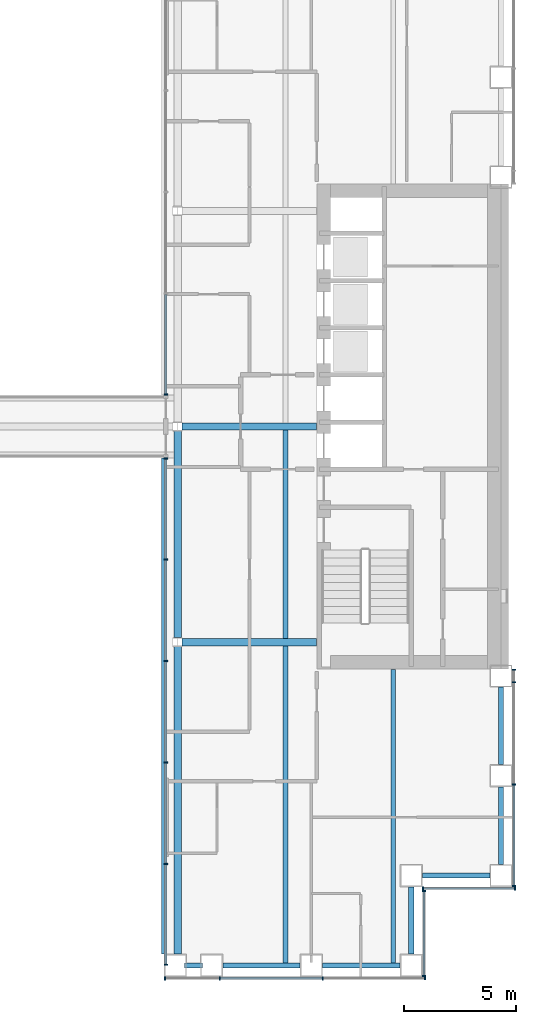
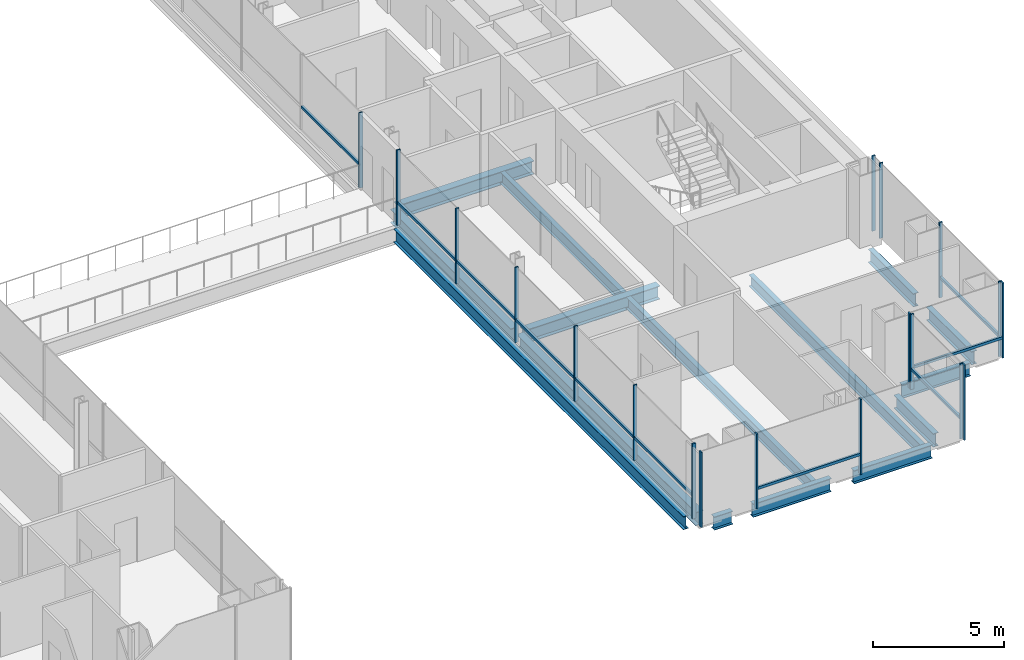
# One storey, part 4 of 18: 29 members, 15 beams, 6 elements without a shape of their own.
"""IFC4 building model written with IfcOpenShell, lengths in metres."""

from ifc_helpers import new_model, si_unit, direction, frame, origin, origin_2d, place, context, subcontext, project, spatial, rectangle, i_section, extrude, material, material_profile, profile_set, type_object, element, aggregate, save


model = new_model("IFC4")

# Units and contexts
model_context = context("Model", 3, precision=1e-05, world=origin(), true_north=direction((0.0, 1.0)))
body_context = subcontext(model_context, "Body", "Model", "MODEL_VIEW")
ifc_project = project(units=[si_unit("LENGTHUNIT", "METRE"), si_unit("AREAUNIT", "SQUARE_METRE"), si_unit("VOLUMEUNIT", "CUBIC_METRE"), si_unit("PLANEANGLEUNIT", "RADIAN"), si_unit("MASSUNIT", "GRAM", prefix="KILO")], contexts=[model_context])

# Site, building, storey
site_placement = place(None, origin())
site = spatial("IfcSite", under=ifc_project, at=site_placement, CompositionType="ELEMENT")
building_placement = place(site_placement, origin())
building = spatial("IfcBuilding", under=site, at=building_placement, Name="Cobrizo Arcos Hotel Tower", CompositionType="ELEMENT")
storey_placement = place(building_placement, frame((0.0, 0.0, 77.5)))
storey = spatial("IfcBuildingStorey", under=building, at=storey_placement, Name="L18", CompositionType="ELEMENT", Elevation=77.5)

# Curtain wall, members
ifc_material_1 = material(Name="Aluminium 6063-T6 anodised bronze", Category="aluminium")
curtain_wall_type_1 = type_object("IfcCurtainWallType", Name="CW-A guest facade", PredefinedType="NOTDEFINED", material=ifc_material_1)
curtain_wall_1_placement = place(storey_placement, origin())
curtain_wall_1 = element("IfcCurtainWall", 1, at=curtain_wall_1_placement, inside=storey, type_object=curtain_wall_type_1, Name="CW-A L18 S face", PredefinedType="NOTDEFINED")
ifc_material_profile_1 = material_profile(ifc_material_1, rectangle(XDim=0.14990234375, YDim=0.06005859375, at=origin_2d()), Name="CW-A mullion 150x60")
ifc_profile_set_1 = profile_set([ifc_material_profile_1], Name="Aluminium 6063-T6 anodised bronze")
member_type_1 = type_object("IfcMemberType", Name="CW-A mullion 150x60", PredefinedType="MULLION", material=ifc_profile_set_1)
member_1_placement = place(storey_placement, frame((9.030029296875, -24.574951171875, 0.0), z_axis=(0.0, 0.0, 1.0), x_axis=(0.0, -1.0, 0.0)))
member_1 = element("IfcMember", 2, at=member_1_placement, type_object=member_type_1, Name="CW-A mullion 1", PredefinedType="MULLION", context=body_context, shape_type="SweptSolid", body=[
    extrude(rectangle(XDim=0.14990234375, YDim=0.06005859375, at=origin_2d()), origin(), (0.0, 0.0, 1.0), 3.5),
])
member_2_placement = place(storey_placement, frame((11.47216796875, -24.574951171875, 0.0), z_axis=(0.0, 0.0, 1.0), x_axis=(0.0, -1.0, 0.0)))
member_2 = element("IfcMember", 3, at=member_2_placement, type_object=member_type_1, Name="CW-A mullion 2", PredefinedType="MULLION", context=body_context, shape_type="SweptSolid", body=[
    extrude(rectangle(XDim=0.14990234375, YDim=0.06005859375, at=origin_2d()), origin(), (0.0, 0.0, 1.0), 3.5),
])
member_3_placement = place(storey_placement, frame((16.06103515625, -24.574951171875, 0.0), z_axis=(0.0, 0.0, 1.0), x_axis=(0.0, -1.0, 0.0)))
member_3 = element("IfcMember", 4, at=member_3_placement, type_object=member_type_1, Name="CW-A mullion 3", PredefinedType="MULLION", context=body_context, shape_type="SweptSolid", body=[
    extrude(rectangle(XDim=0.14990234375, YDim=0.06005859375, at=origin_2d()), origin(), (0.0, 0.0, 1.0), 3.5),
])
member_4_placement = place(storey_placement, frame((20.6201171875, -24.574951171875, 0.0), z_axis=(0.0, 0.0, 1.0), x_axis=(0.0, -1.0, 0.0)))
member_4 = element("IfcMember", 5, at=member_4_placement, type_object=member_type_1, Name="CW-A mullion 4", PredefinedType="MULLION", context=body_context, shape_type="SweptSolid", body=[
    extrude(rectangle(XDim=0.14990234375, YDim=0.06005859375, at=origin_2d()), origin(), (0.0, 0.0, 1.0), 3.5),
])

curtain_wall_2_placement = place(storey_placement, origin())
curtain_wall_2 = element("IfcCurtainWall", 6, at=curtain_wall_2_placement, inside=storey, type_object=curtain_wall_type_1, Name="CW-A L18 E face", PredefinedType="NOTDEFINED")
member_5_placement = place(storey_placement, frame((20.574951171875, -24.469970703125, 0.0), z_axis=(0.0, 0.0, 1.0), x_axis=(1.0, 0.0, 0.0)))
member_5 = element("IfcMember", 7, at=member_5_placement, type_object=member_type_1, Name="CW-A mullion 1", PredefinedType="MULLION", context=body_context, shape_type="SweptSolid", body=[
    extrude(rectangle(XDim=0.14990234375, YDim=0.06005859375, at=origin_2d()), origin(), (0.0, 0.0, 1.0), 3.5),
])
member_6_placement = place(storey_placement, frame((20.574951171875, -20.679931640625, 0.0), z_axis=(0.0, 0.0, 1.0), x_axis=(1.0, 0.0, 0.0)))
member_6 = element("IfcMember", 8, at=member_6_placement, type_object=member_type_1, Name="CW-A mullion 2", PredefinedType="MULLION", context=body_context, shape_type="SweptSolid", body=[
    extrude(rectangle(XDim=0.14990234375, YDim=0.06005859375, at=origin_2d()), origin(), (0.0, 0.0, 1.0), 3.5),
])

curtain_wall_3_placement = place(storey_placement, origin())
curtain_wall_3 = element("IfcCurtainWall", 9, at=curtain_wall_3_placement, inside=storey, type_object=curtain_wall_type_1, Name="CW-A L18 S face", PredefinedType="NOTDEFINED")
member_7_placement = place(storey_placement, frame((20.530029296875, -20.574951171875, 0.0), z_axis=(0.0, 0.0, 1.0), x_axis=(0.0, -1.0, 0.0)))
member_7 = element("IfcMember", 10, at=member_7_placement, type_object=member_type_1, Name="CW-A mullion 1", PredefinedType="MULLION", context=body_context, shape_type="SweptSolid", body=[
    extrude(rectangle(XDim=0.14990234375, YDim=0.06005859375, at=origin_2d()), origin(), (0.0, 0.0, 1.0), 3.5),
])
member_8_placement = place(storey_placement, frame((24.6201171875, -20.574951171875, 0.0), z_axis=(0.0, 0.0, 1.0), x_axis=(0.0, -1.0, 0.0)))
member_8 = element("IfcMember", 11, at=member_8_placement, type_object=member_type_1, Name="CW-A mullion 2", PredefinedType="MULLION", context=body_context, shape_type="SweptSolid", body=[
    extrude(rectangle(XDim=0.14990234375, YDim=0.06005859375, at=origin_2d()), origin(), (0.0, 0.0, 1.0), 3.5),
])

curtain_wall_4_placement = place(storey_placement, origin())
curtain_wall_4 = element("IfcCurtainWall", 12, at=curtain_wall_4_placement, inside=storey, type_object=curtain_wall_type_1, Name="CW-A L18 E face", PredefinedType="NOTDEFINED")
member_9_placement = place(storey_placement, frame((24.574951171875, -20.469970703125, 0.0), z_axis=(0.0, 0.0, 1.0), x_axis=(1.0, 0.0, 0.0)))
member_9 = element("IfcMember", 13, at=member_9_placement, type_object=member_type_1, Name="CW-A mullion 1", PredefinedType="MULLION", context=body_context, shape_type="SweptSolid", body=[
    extrude(rectangle(XDim=0.14990234375, YDim=0.06005859375, at=origin_2d()), origin(), (0.0, 0.0, 1.0), 3.5),
])
member_10_placement = place(storey_placement, frame((24.574951171875, -15.9443359375, 0.0), z_axis=(0.0, 0.0, 1.0), x_axis=(1.0, 0.0, 0.0)))
member_10 = element("IfcMember", 14, at=member_10_placement, type_object=member_type_1, Name="CW-A mullion 2", PredefinedType="MULLION", context=body_context, shape_type="SweptSolid", body=[
    extrude(rectangle(XDim=0.14990234375, YDim=0.06005859375, at=origin_2d()), origin(), (0.0, 0.0, 1.0), 3.5),
])
member_11_placement = place(storey_placement, frame((24.574951171875, -11.388916015625, 0.0), z_axis=(0.0, 0.0, 1.0), x_axis=(1.0, 0.0, 0.0)))
member_11 = element("IfcMember", 15, at=member_11_placement, type_object=member_type_1, Name="CW-A mullion 3", PredefinedType="MULLION", context=body_context, shape_type="SweptSolid", body=[
    extrude(rectangle(XDim=0.14990234375, YDim=0.06005859375, at=origin_2d()), origin(), (0.0, 0.0, 1.0), 3.5),
])
member_12_placement = place(storey_placement, frame((24.574951171875, -10.830078125, 0.0), z_axis=(0.0, 0.0, 1.0), x_axis=(1.0, 0.0, 0.0)))
member_12 = element("IfcMember", 16, at=member_12_placement, type_object=member_type_1, Name="CW-A mullion 4", PredefinedType="MULLION", context=body_context, shape_type="SweptSolid", body=[
    extrude(rectangle(XDim=0.14990234375, YDim=0.06005859375, at=origin_2d()), origin(), (0.0, 0.0, 1.0), 3.5),
])

# Member
ifc_material_profile_2 = material_profile(ifc_material_1, rectangle(XDim=0.10009765625, YDim=0.1201171875, at=origin_2d()), Name="CW-A transom 120x100")
ifc_profile_set_2 = profile_set([ifc_material_profile_2], Name="Aluminium 6063-T6 anodised bronze")
member_type_2 = type_object("IfcMemberType", Name="CW-A transom 120x100", PredefinedType="USERDEFINED", material=ifc_profile_set_2)
member_13_placement = place(storey_placement, frame((11.502197265625, -24.574951171875, 0.929931640625), z_axis=(1.0, 0.0, 0.0), x_axis=(0.0, 1.0, 0.0)))
member_13 = element("IfcMember", 17, at=member_13_placement, type_object=member_type_2, Name="CW-A transom 753", ObjectType="TRANSOM", PredefinedType="USERDEFINED", context=body_context, shape_type="SweptSolid", body=[
    extrude(rectangle(XDim=0.10009765625, YDim=0.1201171875, at=origin_2d()), origin(), (0.0, 0.0, 1.0), 4.52880859375),
])

aggregate(curtain_wall_1, [member_1, member_2, member_3, member_4, member_13])

member_14_placement = place(storey_placement, frame((20.574951171875, -24.43994140625, 0.929931640625), z_axis=(0.0, 1.0, 0.0), x_axis=(-1.0, 0.0, 0.0)))
member_14 = element("IfcMember", 18, at=member_14_placement, type_object=member_type_2, Name="CW-A transom 755", ObjectType="TRANSOM", PredefinedType="USERDEFINED", context=body_context, shape_type="SweptSolid", body=[
    extrude(rectangle(XDim=0.10009765625, YDim=0.1201171875, at=origin_2d()), origin(), (0.0, 0.0, 1.0), 3.72998046875),
])

aggregate(curtain_wall_2, [member_5, member_6, member_14])

member_15_placement = place(storey_placement, frame((20.56005859375, -20.574951171875, 0.929931640625), z_axis=(1.0, 0.0, 0.0), x_axis=(0.0, 1.0, 0.0)))
member_15 = element("IfcMember", 19, at=member_15_placement, type_object=member_type_2, Name="CW-A transom 756", ObjectType="TRANSOM", PredefinedType="USERDEFINED", context=body_context, shape_type="SweptSolid", body=[
    extrude(rectangle(XDim=0.10009765625, YDim=0.1201171875, at=origin_2d()), origin(), (0.0, 0.0, 1.0), 4.030029296875),
])

aggregate(curtain_wall_3, [member_7, member_8, member_15])

member_16_placement = place(storey_placement, frame((24.574951171875, -20.43994140625, 0.929931640625), z_axis=(0.0, 1.0, 0.0), x_axis=(-1.0, 0.0, 0.0)))
member_16 = element("IfcMember", 20, at=member_16_placement, type_object=member_type_2, Name="CW-A transom 757", ObjectType="TRANSOM", PredefinedType="USERDEFINED", context=body_context, shape_type="SweptSolid", body=[
    extrude(rectangle(XDim=0.10009765625, YDim=0.1201171875, at=origin_2d()), origin(), (0.0, 0.0, 1.0), 4.465576171875),
])

aggregate(curtain_wall_4, [member_9, member_10, member_11, member_12, member_16])

# Curtain wall, members
curtain_wall_type_2 = type_object("IfcCurtainWallType", Name="CW-F void screen", PredefinedType="NOTDEFINED", material=ifc_material_1)
curtain_wall_5_placement = place(storey_placement, origin())
curtain_wall_5 = element("IfcCurtainWall", 21, at=curtain_wall_5_placement, inside=storey, type_object=curtain_wall_type_2, Name="CW-F L18 void screen A", PredefinedType="NOTDEFINED")
ifc_material_profile_3 = material_profile(ifc_material_1, rectangle(XDim=0.14990234375, YDim=0.06005859375, at=origin_2d()), Name="CW-F mullion 150x60")
ifc_profile_set_3 = profile_set([ifc_material_profile_3], Name="Aluminium 6063-T6 anodised bronze")
member_type_3 = type_object("IfcMemberType", Name="CW-F mullion 150x60", PredefinedType="MULLION", material=ifc_profile_set_3)
member_17_placement = place(storey_placement, frame((9.074951171875, -23.969970703125, 0.0), z_axis=(0.0, 0.0, 1.0), x_axis=(1.0, 0.0, 0.0)))
member_17 = element("IfcMember", 22, at=member_17_placement, type_object=member_type_3, Name="CW-F mullion 1", PredefinedType="MULLION", context=body_context, shape_type="SweptSolid", body=[
    extrude(rectangle(XDim=0.14990234375, YDim=0.06005859375, at=origin_2d()), origin(), (0.0, 0.0, 1.0), 3.5),
])
member_18_placement = place(storey_placement, frame((9.074951171875, -19.47998046875, 0.0), z_axis=(0.0, 0.0, 1.0), x_axis=(1.0, 0.0, 0.0)))
member_18 = element("IfcMember", 23, at=member_18_placement, type_object=member_type_3, Name="CW-F mullion 2", PredefinedType="MULLION", context=body_context, shape_type="SweptSolid", body=[
    extrude(rectangle(XDim=0.14990234375, YDim=0.06005859375, at=origin_2d()), origin(), (0.0, 0.0, 1.0), 3.5),
])
member_19_placement = place(storey_placement, frame((9.074951171875, -14.9599609375, 0.0), z_axis=(0.0, 0.0, 1.0), x_axis=(1.0, 0.0, 0.0)))
member_19 = element("IfcMember", 24, at=member_19_placement, type_object=member_type_3, Name="CW-F mullion 3", PredefinedType="MULLION", context=body_context, shape_type="SweptSolid", body=[
    extrude(rectangle(XDim=0.14990234375, YDim=0.06005859375, at=origin_2d()), origin(), (0.0, 0.0, 1.0), 3.5),
])
member_20_placement = place(storey_placement, frame((9.074951171875, -10.43994140625, 0.0), z_axis=(0.0, 0.0, 1.0), x_axis=(1.0, 0.0, 0.0)))
member_20 = element("IfcMember", 25, at=member_20_placement, type_object=member_type_3, Name="CW-F mullion 4", PredefinedType="MULLION", context=body_context, shape_type="SweptSolid", body=[
    extrude(rectangle(XDim=0.14990234375, YDim=0.06005859375, at=origin_2d()), origin(), (0.0, 0.0, 1.0), 3.5),
])
member_21_placement = place(storey_placement, frame((9.074951171875, -5.919921875, 0.0), z_axis=(0.0, 0.0, 1.0), x_axis=(1.0, 0.0, 0.0)))
member_21 = element("IfcMember", 26, at=member_21_placement, type_object=member_type_3, Name="CW-F mullion 5", PredefinedType="MULLION", context=body_context, shape_type="SweptSolid", body=[
    extrude(rectangle(XDim=0.14990234375, YDim=0.06005859375, at=origin_2d()), origin(), (0.0, 0.0, 1.0), 3.5),
])
member_22_placement = place(storey_placement, frame((9.074951171875, -1.429931640625, 0.0), z_axis=(0.0, 0.0, 1.0), x_axis=(1.0, 0.0, 0.0)))
member_22 = element("IfcMember", 27, at=member_22_placement, type_object=member_type_3, Name="CW-F mullion 6", PredefinedType="MULLION", context=body_context, shape_type="SweptSolid", body=[
    extrude(rectangle(XDim=0.14990234375, YDim=0.06005859375, at=origin_2d()), origin(), (0.0, 0.0, 1.0), 3.5),
])

# Curtain wall, member
curtain_wall_6_placement = place(storey_placement, origin())
curtain_wall_6 = element("IfcCurtainWall", 28, at=curtain_wall_6_placement, inside=storey, type_object=curtain_wall_type_2, Name="CW-F L18 void screen A", PredefinedType="NOTDEFINED")
member_23_placement = place(storey_placement, frame((9.074951171875, 1.429931640625, 0.0), z_axis=(0.0, 0.0, 1.0), x_axis=(1.0, 0.0, 0.0)))
member_23 = element("IfcMember", 29, at=member_23_placement, type_object=member_type_3, Name="CW-F mullion 1", PredefinedType="MULLION", context=body_context, shape_type="SweptSolid", body=[
    extrude(rectangle(XDim=0.14990234375, YDim=0.06005859375, at=origin_2d()), origin(), (0.0, 0.0, 1.0), 3.5),
])

# Member
ifc_material_profile_4 = material_profile(ifc_material_1, rectangle(XDim=0.10009765625, YDim=0.1201171875, at=origin_2d()), Name="CW-F transom 120x100")
ifc_profile_set_4 = profile_set([ifc_material_profile_4], Name="Aluminium 6063-T6 anodised bronze")
member_type_4 = type_object("IfcMemberType", Name="CW-F transom 120x100", PredefinedType="USERDEFINED", material=ifc_profile_set_4)
member_24_placement = place(storey_placement, frame((9.074951171875, -23.93994140625, 1.050048828125), z_axis=(0.0, 1.0, 0.0), x_axis=(-1.0, 0.0, 0.0)))
member_24 = element("IfcMember", 30, at=member_24_placement, type_object=member_type_4, Name="CW-F transom 2528", ObjectType="TRANSOM", PredefinedType="USERDEFINED", context=body_context, shape_type="SweptSolid", body=[
    extrude(rectangle(XDim=0.10009765625, YDim=0.1201171875, at=origin_2d()), origin(), (0.0, 0.0, 1.0), 4.429931640625),
])

member_25_placement = place(storey_placement, frame((9.074951171875, -19.449951171875, 1.050048828125), z_axis=(0.0, 1.0, 0.0), x_axis=(-1.0, 0.0, 0.0)))
member_25 = element("IfcMember", 31, at=member_25_placement, type_object=member_type_4, Name="CW-F transom 2529", ObjectType="TRANSOM", PredefinedType="USERDEFINED", context=body_context, shape_type="SweptSolid", body=[
    extrude(rectangle(XDim=0.10009765625, YDim=0.1201171875, at=origin_2d()), origin(), (0.0, 0.0, 1.0), 4.4599609375),
])

member_26_placement = place(storey_placement, frame((9.074951171875, -14.929931640625, 1.050048828125), z_axis=(0.0, 1.0, 0.0), x_axis=(-1.0, 0.0, 0.0)))
member_26 = element("IfcMember", 32, at=member_26_placement, type_object=member_type_4, Name="CW-F transom 2530", ObjectType="TRANSOM", PredefinedType="USERDEFINED", context=body_context, shape_type="SweptSolid", body=[
    extrude(rectangle(XDim=0.10009765625, YDim=0.1201171875, at=origin_2d()), origin(), (0.0, 0.0, 1.0), 4.4599609375),
])

member_27_placement = place(storey_placement, frame((9.074951171875, -10.409912109375, 1.050048828125), z_axis=(0.0, 1.0, 0.0), x_axis=(-1.0, 0.0, 0.0)))
member_27 = element("IfcMember", 33, at=member_27_placement, type_object=member_type_4, Name="CW-F transom 2531", ObjectType="TRANSOM", PredefinedType="USERDEFINED", context=body_context, shape_type="SweptSolid", body=[
    extrude(rectangle(XDim=0.10009765625, YDim=0.1201171875, at=origin_2d()), origin(), (0.0, 0.0, 1.0), 4.4599609375),
])

member_28_placement = place(storey_placement, frame((9.074951171875, -5.889892578125, 1.050048828125), z_axis=(0.0, 1.0, 0.0), x_axis=(-1.0, 0.0, 0.0)))
member_28 = element("IfcMember", 34, at=member_28_placement, type_object=member_type_4, Name="CW-F transom 2532", ObjectType="TRANSOM", PredefinedType="USERDEFINED", context=body_context, shape_type="SweptSolid", body=[
    extrude(rectangle(XDim=0.10009765625, YDim=0.1201171875, at=origin_2d()), origin(), (0.0, 0.0, 1.0), 4.429931640625),
])

aggregate(curtain_wall_5, [member_17, member_18, member_19, member_20, member_21, member_22, member_24, member_25, member_26, member_27, member_28])

member_29_placement = place(storey_placement, frame((9.074951171875, 1.4599609375, 1.050048828125), z_axis=(0.0, 1.0, 0.0), x_axis=(-1.0, 0.0, 0.0)))
member_29 = element("IfcMember", 35, at=member_29_placement, type_object=member_type_4, Name="CW-F transom 2533", ObjectType="TRANSOM", PredefinedType="USERDEFINED", context=body_context, shape_type="SweptSolid", body=[
    extrude(rectangle(XDim=0.10009765625, YDim=0.1201171875, at=origin_2d()), origin(), (0.0, 0.0, 1.0), 4.429931640625),
])

aggregate(curtain_wall_6, [member_23, member_29])

# Beams
ifc_material_2 = material(Name="Steel ASTM A992 Grade 50", Category="steel")
ifc_material_profile_5 = material_profile(ifc_material_2, i_section(OverallWidth=0.209228515625, OverallDepth=0.533447265625, WebThickness=0.01025390625, FlangeThickness=0.015625, at=origin_2d()), Name="W21X62")
ifc_profile_set_5 = profile_set([ifc_material_profile_5], Name="Steel ASTM A992 Grade 50")
beam_type_1 = type_object("IfcBeamType", Name="W21X62 joist", PredefinedType="JOIST", material=ifc_profile_set_5)
beam_1_placement = place(storey_placement, frame((14.39990234375, -23.909912109375, -0.416748046875), z_axis=(0.0, 1.0, 0.0), x_axis=(-1.0, 0.0, 0.0)))
element("IfcBeam", 36, at=beam_1_placement, inside=storey, type_object=beam_type_1, Name="Floor joist J1, L18, no. 007", PredefinedType="JOIST", context=body_context, shape_type="SweptSolid", body=[
    extrude(i_section(OverallWidth=0.209228515625, OverallDepth=0.533447265625, WebThickness=0.01025390625, FlangeThickness=0.015625, at=origin_2d()), origin(), (0.0, 0.0, 1.0), 14.14599609375),
])
beam_2_placement = place(storey_placement, frame((14.39990234375, -9.43603515625, -0.416748046875), z_axis=(0.0, 1.0, 0.0), x_axis=(-1.0, 0.0, 0.0)))
element("IfcBeam", 37, at=beam_2_placement, inside=storey, type_object=beam_type_1, Name="Floor joist J1, L18, no. 008", PredefinedType="JOIST", context=body_context, shape_type="SweptSolid", body=[
    extrude(i_section(OverallWidth=0.209228515625, OverallDepth=0.533447265625, WebThickness=0.01025390625, FlangeThickness=0.015625, at=origin_2d()), origin(), (0.0, 0.0, 1.0), 9.272216796875),
])
beam_3_placement = place(storey_placement, frame((19.199951171875, -23.909912109375, -0.416748046875), z_axis=(0.0, 1.0, 0.0), x_axis=(-1.0, 0.0, 0.0)))
element("IfcBeam", 38, at=beam_3_placement, inside=storey, type_object=beam_type_1, Name="Floor joist J1, L18, no. 011", PredefinedType="JOIST", context=body_context, shape_type="SweptSolid", body=[
    extrude(i_section(OverallWidth=0.209228515625, OverallDepth=0.533447265625, WebThickness=0.01025390625, FlangeThickness=0.015625, at=origin_2d()), origin(), (0.0, 0.0, 1.0), 13.099853515625),
])
ifc_material_profile_6 = material_profile(ifc_material_2, i_section(OverallWidth=0.32763671875, OverallDepth=0.622314453125, WebThickness=0.015380859375, FlangeThickness=0.0244140625, at=origin_2d()), Name="W24X131")
ifc_profile_set_6 = profile_set([ifc_material_profile_6], Name="Steel ASTM A992 Grade 50")
beam_type_2 = type_object("IfcBeamType", Name="W24X131 girder", PredefinedType="BEAM", material=ifc_profile_set_6)
for number, where, z_axis, x_axis, name in (
    (39, (9.804443359375, -9.60009765625, -0.461181640625), (1.0, 0.0, 0.0), (0.0, 1.0, 0.0), "Floor girder G1, L18, no. 002"),
    (40, (9.804443359375, 0.0, -0.461181640625), (1.0, 0.0, 0.0), (0.0, 1.0, 0.0), "Floor girder G1, L18, no. 005"),
):
    element("IfcBeam", number, at=place(storey_placement, frame(where, z_axis=z_axis, x_axis=x_axis)), inside=storey, type_object=beam_type_2, Name=name, PredefinedType="BEAM", context=body_context, shape_type="SweptSolid", body=[
        extrude(i_section(OverallWidth=0.32763671875, OverallDepth=0.622314453125, WebThickness=0.015380859375, FlangeThickness=0.0244140625, at=origin_2d()), origin(), (0.0, 0.0, 1.0), 5.985595703125),
    ])
beam_4_placement = place(storey_placement, frame((9.60009765625, -23.5, -0.461181640625), z_axis=(0.0, 1.0, 0.0), x_axis=(-1.0, 0.0, 0.0)))
element("IfcBeam", 41, at=beam_4_placement, inside=storey, type_object=beam_type_2, Name="Floor girder G1, L18, no. 012", PredefinedType="BEAM", context=body_context, shape_type="SweptSolid", body=[
    extrude(i_section(OverallWidth=0.32763671875, OverallDepth=0.622314453125, WebThickness=0.015380859375, FlangeThickness=0.0244140625, at=origin_2d()), origin(), (0.0, 0.0, 1.0), 13.695556640625),
])
beam_5_placement = place(storey_placement, frame((9.60009765625, -9.3955078125, -0.461181640625), z_axis=(0.0, 1.0, 0.0), x_axis=(-1.0, 0.0, 0.0)))
element("IfcBeam", 42, at=beam_5_placement, inside=storey, type_object=beam_type_2, Name="Floor girder G1, L18, no. 013", PredefinedType="BEAM", context=body_context, shape_type="SweptSolid", body=[
    extrude(i_section(OverallWidth=0.32763671875, OverallDepth=0.622314453125, WebThickness=0.015380859375, FlangeThickness=0.0244140625, at=origin_2d()), origin(), (0.0, 0.0, 1.0), 9.191162109375),
])
ifc_material_profile_7 = material_profile(ifc_material_2, i_section(OverallWidth=0.23046875, OverallDepth=0.6171875, WebThickness=0.01318359375, FlangeThickness=0.022216796875, at=origin_2d()), Name="W24X94")
ifc_profile_set_7 = profile_set([ifc_material_profile_7], Name="Steel ASTM A992 Grade 50")
beam_type_3 = type_object("IfcBeamType", Name="W24X94 spandrel", PredefinedType="SPANDREL", material=ifc_profile_set_7)
beam_6_placement = place(storey_placement, frame((24.0, -11.611083984375, -0.45849609375), z_axis=(0.0, -1.0, 0.0), x_axis=(1.0, 0.0, 0.0)))
element("IfcBeam", 43, at=beam_6_placement, inside=storey, type_object=beam_type_3, Name="Spandrel beam W24X94, L18, no. 004", PredefinedType="SPANDREL", context=body_context, shape_type="SweptSolid", body=[
    extrude(i_section(OverallWidth=0.23046875, OverallDepth=0.6171875, WebThickness=0.01318359375, FlangeThickness=0.022216796875, at=origin_2d()), origin(), (0.0, 0.0, 1.0), 3.44482421875),
])
beam_7_placement = place(storey_placement, frame((24.0, -16.055908203125, -0.45849609375), z_axis=(0.0, -1.0, 0.0), x_axis=(1.0, 0.0, 0.0)))
element("IfcBeam", 44, at=beam_7_placement, inside=storey, type_object=beam_type_3, Name="Spandrel beam W24X94, L18, no. 005", PredefinedType="SPANDREL", context=body_context, shape_type="SweptSolid", body=[
    extrude(i_section(OverallWidth=0.23046875, OverallDepth=0.6171875, WebThickness=0.01318359375, FlangeThickness=0.022216796875, at=origin_2d()), origin(), (0.0, 0.0, 1.0), 3.444091796875),
])
for number, where, z_axis, x_axis, name in (
    (45, (23.5, -20.0, -0.45849609375), (-1.0, 0.0, 0.0), (0.0, -1.0, 0.0), "Spandrel beam W24X94, L18, no. 006"),
    (46, (20.0, -20.5, -0.45849609375), (0.0, -1.0, 0.0), (1.0, 0.0, 0.0), "Spandrel beam W24X94, L18, no. 007"),
):
    element("IfcBeam", number, at=place(storey_placement, frame(where, z_axis=z_axis, x_axis=x_axis)), inside=storey, type_object=beam_type_3, Name=name, PredefinedType="SPANDREL", context=body_context, shape_type="SweptSolid", body=[
        extrude(i_section(OverallWidth=0.23046875, OverallDepth=0.6171875, WebThickness=0.01318359375, FlangeThickness=0.022216796875, at=origin_2d()), origin(), (0.0, 0.0, 1.0), 3.0),
    ])
beam_8_placement = place(storey_placement, frame((19.5, -24.0, -0.45849609375), z_axis=(-1.0, 0.0, 0.0), x_axis=(0.0, -1.0, 0.0)))
element("IfcBeam", 47, at=beam_8_placement, inside=storey, type_object=beam_type_3, Name="Spandrel beam W24X94, L18, no. 008", PredefinedType="SPANDREL", context=body_context, shape_type="SweptSolid", body=[
    extrude(i_section(OverallWidth=0.23046875, OverallDepth=0.6171875, WebThickness=0.01318359375, FlangeThickness=0.022216796875, at=origin_2d()), origin(), (0.0, 0.0, 1.0), 3.444091796875),
])
beam_9_placement = place(storey_placement, frame((15.055908203125, -24.0, -0.45849609375), z_axis=(-1.0, 0.0, 0.0), x_axis=(0.0, -1.0, 0.0)))
element("IfcBeam", 48, at=beam_9_placement, inside=storey, type_object=beam_type_3, Name="Spandrel beam W24X94, L18, no. 009", PredefinedType="SPANDREL", context=body_context, shape_type="SweptSolid", body=[
    extrude(i_section(OverallWidth=0.23046875, OverallDepth=0.6171875, WebThickness=0.01318359375, FlangeThickness=0.022216796875, at=origin_2d()), origin(), (0.0, 0.0, 1.0), 3.44482421875),
])
beam_10_placement = place(storey_placement, frame((10.7109375, -24.0, -0.45849609375), z_axis=(-1.0, 0.0, 0.0), x_axis=(0.0, -1.0, 0.0)))
element("IfcBeam", 49, at=beam_10_placement, inside=storey, type_object=beam_type_3, Name="Spandrel beam W24X94, L18, no. 010", PredefinedType="SPANDREL", context=body_context, shape_type="SweptSolid", body=[
    extrude(i_section(OverallWidth=0.23046875, OverallDepth=0.6171875, WebThickness=0.01318359375, FlangeThickness=0.022216796875, at=origin_2d()), origin(), (0.0, 0.0, 1.0), 0.81103515625),
])
beam_11_placement = place(storey_placement, frame((9.0, -23.5, -0.45849609375), z_axis=(0.0, 1.0, 0.0), x_axis=(-1.0, 0.0, 0.0)))
element("IfcBeam", 50, at=beam_11_placement, inside=storey, type_object=beam_type_3, Name="Spandrel beam W24X94, L18, no. 011", PredefinedType="SPANDREL", context=body_context, shape_type="SweptSolid", body=[
    extrude(i_section(OverallWidth=0.23046875, OverallDepth=0.6171875, WebThickness=0.01318359375, FlangeThickness=0.022216796875, at=origin_2d()), origin(), (0.0, 0.0, 1.0), 22.10009765625),
])

save(model, "model.ifc")
